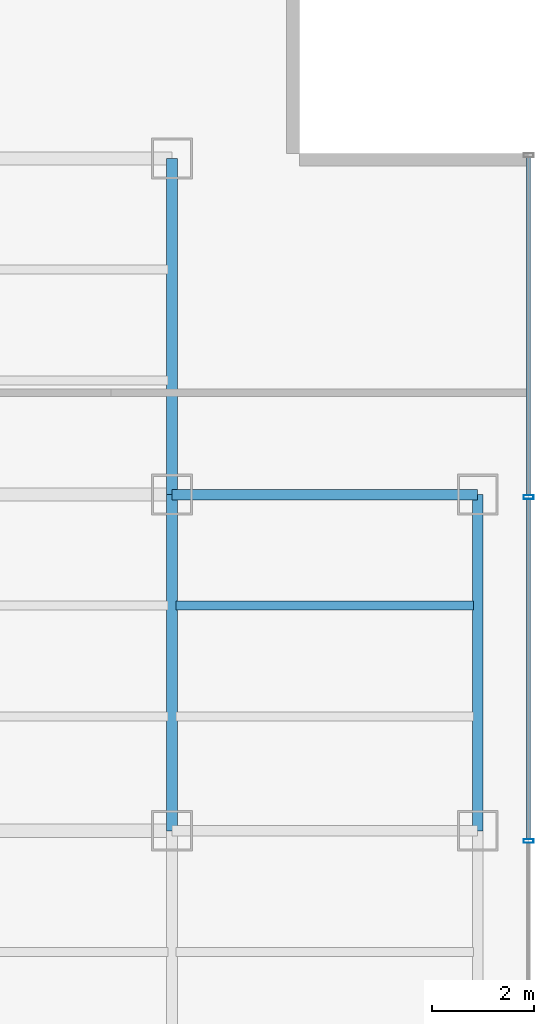
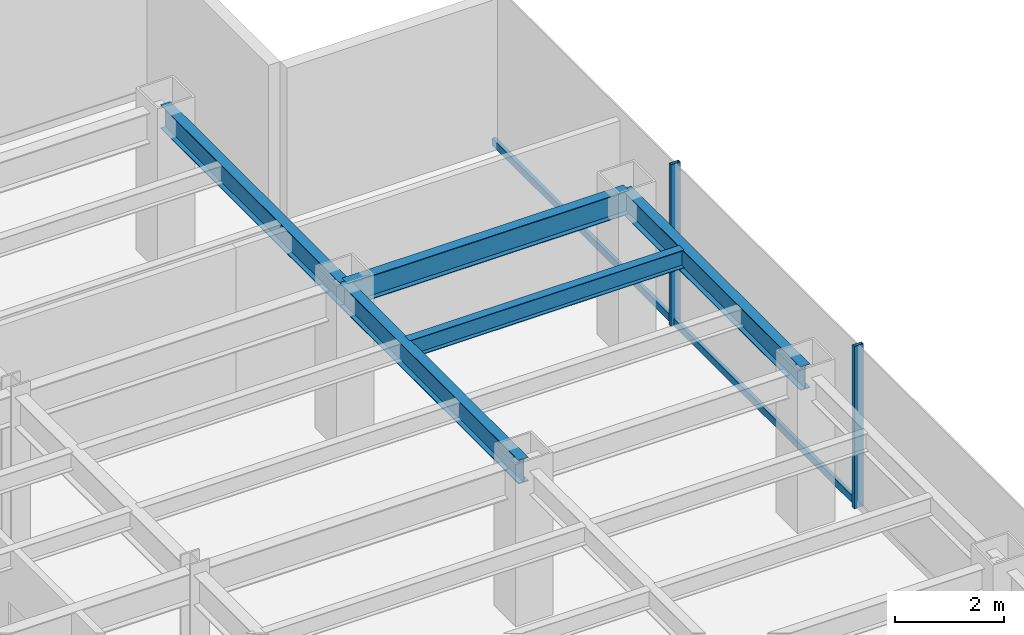
# One storey, part 12 of 26: 5 beams, 4 members, 1 element without a shape of its own.
"""IFC4 building model written with IfcOpenShell, lengths in metres."""

import ifcopenshell
import ifcopenshell.guid

model = None  # the IFC model being written
_history = None  # IfcOwnerHistory: only IFC2X3 demands one
_inside = {}  # id of a spatial element -> (the spatial element, [elements in it])
_under = {}  # id of a project, library or spatial element -> (it, [spatial elements below it])
_declared = {}  # id of a project -> (the project, [libraries it declares])
_typed = {}  # id of a type object -> (the type object, [elements of that type])
_made_of = {}  # id of a material, layer set ... -> (it, [elements and type objects made of it])


def new_model(schema):
    """Start an empty IFC model of exactly this schema.

    Asked for "IFC4X3", IfcOpenShell would pick the latest addendum, in which some entities
    have other attributes; the version numbers below select the first issue.
    IFC2X3 requires an IfcOwnerHistory on every rooted entity: one is made here for all.
    """
    global model, _history
    if schema == "IFC4X3":
        model = ifcopenshell.file(schema_version=(4, 3, 0, 0))
    else:
        model = ifcopenshell.file(schema=schema)
    _inside.clear()
    _under.clear()
    _declared.clear()
    _typed.clear()
    _made_of.clear()
    _history = None
    if model.schema == "IFC2X3":
        org = make("IfcOrganization", Name="unknown")
        user = make(
            "IfcPersonAndOrganization",
            ThePerson=make("IfcPerson", FamilyName="unknown"),
            TheOrganization=org,
        )
        app = make(
            "IfcApplication",
            ApplicationDeveloper=org,
            Version="unknown",
            ApplicationFullName="unknown",
            ApplicationIdentifier="unknown",
        )
        _history = make(
            "IfcOwnerHistory",
            OwningUser=user,
            OwningApplication=app,
            ChangeAction="ADDED",
            CreationDate=0,
        )
    return model


def make(cls, **values):
    """One entity of the class cls with the attributes given. An attribute that is None is left unset."""
    return model.create_entity(
        cls, **{name: value for name, value in values.items() if value is not None}
    )


def rooted(cls, **values):
    """An entity with a GlobalId (a new one), such as an element, a storey or a relation."""
    return make(cls, GlobalId=ifcopenshell.guid.new(), OwnerHistory=_history, **values)


def si_unit(unit_type, name, prefix=None):
    """IfcSIUnit, for example si_unit("LENGTHUNIT", "METRE", prefix="MILLI")."""
    return make("IfcSIUnit", UnitType=unit_type, Prefix=prefix, Name=name)


def derived_unit(unit_type, elements):
    """IfcDerivedUnit: a product of units, each with its exponent."""
    return make(
        "IfcDerivedUnit",
        Elements=[
            make("IfcDerivedUnitElement", Unit=unit, Exponent=power)
            for unit, power in elements
        ],
        UnitType=unit_type,
    )


def assignment(units):
    """IfcUnitAssignment: the units of a project."""
    return None if units is None else make("IfcUnitAssignment", Units=units)


def point(xyz):
    """IfcCartesianPoint."""
    return None if xyz is None else make("IfcCartesianPoint", Coordinates=xyz)


def direction(xyz):
    """IfcDirection."""
    return None if xyz is None else make("IfcDirection", DirectionRatios=xyz)


def frame(location, z_axis=None, x_axis=None):
    """IfcAxis2Placement3D, a coordinate frame: its origin and axes. An axis left out is left unset."""
    return make(
        "IfcAxis2Placement3D",
        Location=point(location),
        Axis=direction(z_axis),
        RefDirection=direction(x_axis),
    )


def frame_2d(location, x_axis=None):
    """IfcAxis2Placement2D, a coordinate frame in the plane: its origin and x axis."""
    return make(
        "IfcAxis2Placement2D", Location=point(location), RefDirection=direction(x_axis)
    )


def origin():
    """The frame at (0, 0, 0) with its axes left unset."""
    return frame((0.0, 0.0, 0.0))


def origin_2d():
    """The frame at (0, 0) in the plane with its x axis left unset."""
    return frame_2d((0.0, 0.0))


def place(relative_to, where):
    """IfcLocalPlacement: puts the frame where relative to a parent placement (None: the world)."""
    return make(
        "IfcLocalPlacement", PlacementRelTo=relative_to, RelativePlacement=where
    )


def context(
    kind, dimensions, precision=None, world=None, true_north=None, identifier=None
):
    """IfcGeometricRepresentationContext, for example the 3D "Model" context."""
    return make(
        "IfcGeometricRepresentationContext",
        ContextIdentifier=identifier,
        ContextType=kind,
        CoordinateSpaceDimension=dimensions,
        Precision=precision,
        WorldCoordinateSystem=world,
        TrueNorth=true_north,
    )


def subcontext(parent, identifier, kind, view, scale=None):
    """IfcGeometricRepresentationSubContext, for example "Body" below "Model"."""
    return make(
        "IfcGeometricRepresentationSubContext",
        ContextIdentifier=identifier,
        ContextType=kind,
        ParentContext=parent,
        TargetScale=scale,
        TargetView=view,
    )


def project(units=None, contexts=None):
    """IfcProject with its units and contexts."""
    return rooted(
        "IfcProject",
        Name="project",
        RepresentationContexts=contexts,
        UnitsInContext=assignment(units),
    )


def spatial(cls, under=None, at=None, **own):
    """A site, building, storey or space (cls), placed at a placement, below another one or the project."""
    s = rooted(cls, ObjectPlacement=at, **own)
    if under is not None:
        _under.setdefault(under.id(), (under, []))[1].append(s)
    return s


def profile(cls, at=None, kind="AREA", **sizes):
    """A parametric profile (cls). Its sizes go by their IFC names, for example OverallWidth=200.0."""
    return make(cls, ProfileType=kind, Position=at, **sizes)


def hollow_rectangle(**sizes):
    """IfcRectangleHollowProfileDef."""
    return profile("IfcRectangleHollowProfileDef", **sizes)


def i_section(**sizes):
    """IfcIShapeProfileDef."""
    return profile("IfcIShapeProfileDef", **sizes)


def extrude(swept, where, along, depth):
    """IfcExtrudedAreaSolid: the profile swept, set in the frame where, extruded along a direction by depth."""
    return make(
        "IfcExtrudedAreaSolid",
        SweptArea=swept,
        Position=where,
        ExtrudedDirection=direction(along),
        Depth=depth,
    )


def shape(context_of_items, identifier, shape_type, items):
    """IfcShapeRepresentation: the items that make up one representation, for example the "Body"."""
    return make(
        "IfcShapeRepresentation",
        ContextOfItems=context_of_items,
        RepresentationIdentifier=identifier,
        RepresentationType=shape_type,
        Items=items,
    )


def source(mapping_origin, context_of_items, identifier, shape_type, items):
    """IfcRepresentationMap: a shape defined once, which mapped items show again and again."""
    return make(
        "IfcRepresentationMap",
        MappingOrigin=mapping_origin,
        MappedRepresentation=shape(context_of_items, identifier, shape_type, items),
    )


def transform(
    local_origin,
    x_axis=None,
    y_axis=None,
    z_axis=None,
    scale=None,
    scale2=None,
    scale3=None,
    uniform=True,
):
    """IfcCartesianTransformationOperator3D, or its non-uniform kind. x_axis, y_axis, z_axis: its Axis1, 2, 3."""
    if uniform:
        return make(
            "IfcCartesianTransformationOperator3D",
            Axis1=direction(x_axis),
            Axis2=direction(y_axis),
            LocalOrigin=point(local_origin),
            Scale=scale,
            Axis3=direction(z_axis),
        )
    return make(
        "IfcCartesianTransformationOperator3DnonUniform",
        Axis1=direction(x_axis),
        Axis2=direction(y_axis),
        LocalOrigin=point(local_origin),
        Scale=scale,
        Axis3=direction(z_axis),
        Scale2=scale2,
        Scale3=scale3,
    )


def mapped(mapping_source, mapping_target):
    """IfcMappedItem: shows the shape of a source again, moved by a transform."""
    return make(
        "IfcMappedItem", MappingSource=mapping_source, MappingTarget=mapping_target
    )


def material(Name=None, Category=None):
    """IfcMaterial."""
    return make("IfcMaterial", Name=Name, Category=Category)


def material_profile(
    of_material, cross_section, Name=None, Category=None, Priority=None
):
    """IfcMaterialProfile: a cross section and its material."""
    return make(
        "IfcMaterialProfile",
        Name=Name,
        Material=of_material,
        Profile=cross_section,
        Priority=Priority,
        Category=Category,
    )


def profile_set(profiles, Name=None, composite=None):
    """IfcMaterialProfileSet."""
    return make(
        "IfcMaterialProfileSet",
        Name=Name,
        MaterialProfiles=profiles,
        CompositeProfile=composite,
    )


def made_of(thing, what):
    """Note that an element or type object is made of a material, layer set ...; save() writes the relation."""
    if what is not None:
        _made_of.setdefault(what.id(), (what, []))[1].append(thing)
    return thing


def type_object(cls, material=None, **own):
    """A type object (cls), such as IfcWallType, which elements share."""
    return made_of(rooted(cls, **own), material)


def element(
    cls,
    number,
    at=None,
    inside=None,
    cuts=None,
    type_object=None,
    material=None,
    context=None,
    identifier="Body",
    shape_type=None,
    held_by="IfcProductDefinitionShape",
    body=None,
    shapes=None,
    **own,
):
    """One element of the class cls, such as IfcWall. Its Tag is "e" and its number.

    at: its placement. inside: the storey or other place that contains it. cuts: it is an
    opening in that element (IfcRelVoidsElement). A single representation is given by context,
    identifier, shape_type and body (its items); several are given by shapes. held_by: the class
    of the entity that holds the representations. save() writes the other relations.
    """
    e = rooted(cls, Tag="e%d" % number, ObjectPlacement=at, **own)
    if body is not None:
        shapes = [shape(context, identifier, shape_type, body)]
    if shapes is not None:
        e.Representation = make(held_by, Representations=shapes)
    if inside is not None:
        _inside.setdefault(inside.id(), (inside, []))[1].append(e)
    if cuts is not None:
        rooted(
            "IfcRelVoidsElement", RelatingBuildingElement=cuts, RelatedOpeningElement=e
        )
    if type_object is not None:
        _typed.setdefault(type_object.id(), (type_object, []))[1].append(e)
    return made_of(e, material)


def aggregate(whole, parts):
    """IfcRelAggregates: a whole, such as a stair, and the parts it consists of."""
    return rooted("IfcRelAggregates", RelatingObject=whole, RelatedObjects=parts)


def save(model, path):
    """Write the relations noted so far, then the file.

    IfcRelAggregates (storeys below a building ...), IfcRelContainedInSpatialStructure (elements
    in a storey), IfcRelDefinesByType, IfcRelAssociatesMaterial and IfcRelDeclares: one each for
    every whole, place, type object, material and project.
    """
    for whole, parts in _under.values():
        aggregate(whole, parts)
    for where, things in _inside.values():
        rooted(
            "IfcRelContainedInSpatialStructure",
            RelatedElements=things,
            RelatingStructure=where,
        )
    for kind, things in _typed.values():
        rooted("IfcRelDefinesByType", RelatedObjects=things, RelatingType=kind)
    for what, things in _made_of.values():
        rooted("IfcRelAssociatesMaterial", RelatedObjects=things, RelatingMaterial=what)
    for by, libraries in _declared.values():
        rooted("IfcRelDeclares", RelatingContext=by, RelatedDefinitions=libraries)
    model.write(path)


model = new_model("IFC4")

# Units and contexts
model_context = context("Model", 3, precision=1e-05, world=origin(), true_north=direction((0.0, 1.0)))
body_context = subcontext(model_context, "Body", "Model", "MODEL_VIEW")
ifc_project = project(units=[si_unit("LENGTHUNIT", "METRE"), si_unit("AREAUNIT", "SQUARE_METRE"), si_unit("VOLUMEUNIT", "CUBIC_METRE"), si_unit("PLANEANGLEUNIT", "RADIAN"), si_unit("MASSUNIT", "GRAM", prefix="KILO"), derived_unit("THERMALTRANSMITTANCEUNIT", [(si_unit("POWERUNIT", "WATT"), 1), (si_unit("LENGTHUNIT", "METRE"), -2), (si_unit("THERMODYNAMICTEMPERATUREUNIT", "KELVIN"), -1)])], contexts=[model_context])

# Site, building, storey
site_placement = place(None, origin())
site = spatial("IfcSite", under=ifc_project, at=site_placement, CompositionType="ELEMENT")
building_placement = place(site_placement, origin())
building = spatial("IfcBuilding", under=site, at=building_placement, Name="Skarnbrae Concourse Arena and Tower", CompositionType="ELEMENT")
storey_placement = place(building_placement, frame((0.0, 0.0, 121.5)))
storey = spatial("IfcBuildingStorey", under=building, at=storey_placement, Name="L30", CompositionType="ELEMENT", Elevation=121.5)

# Beams
ifc_material_1 = material(Name="Steel CSA G40.21 350W", Category="steel")
ifc_material_profile_1 = material_profile(ifc_material_1, i_section(OverallWidth=0.208984375, OverallDepth=0.532958984375, WebThickness=0.01025390625, FlangeThickness=0.015625, at=origin_2d()), Name="W530X92")
ifc_profile_set_1 = profile_set([ifc_material_profile_1], Name="Steel CSA G40.21 350W")
beam_type_1 = type_object("IfcBeamType", Name="BM-SPAN-W530X92", PredefinedType="SPANDREL", material=ifc_profile_set_1)
shared_shape_1 = source(origin(), body_context, "Body", "SweptSolid", [
    extrude(i_section(OverallWidth=0.208984375, OverallDepth=0.532958984375, WebThickness=0.01025390625, FlangeThickness=0.015625, at=origin_2d()), origin(), (0.0, 0.0, 1.0), 6.0),
])
beam_1_placement = place(storey_placement, frame((49.0, 27.800048828125, 3.133544921875), z_axis=(1.0, 0.0, 0.0), x_axis=(0.0, 1.0, 0.0)))
element("IfcBeam", 1, at=beam_1_placement, inside=storey, type_object=beam_type_1, Name="L30 Perimeter spandrel Y27.8-8", PredefinedType="SPANDREL", context=body_context, shape_type="MappedRepresentation", body=[
    mapped(shared_shape_1, transform((0.0, 0.0, 0.0))),
])
shared_shape_2 = source(origin(), body_context, "Body", "SweptSolid", [
    extrude(i_section(OverallWidth=0.208984375, OverallDepth=0.532958984375, WebThickness=0.01025390625, FlangeThickness=0.015625, at=origin_2d()), origin(), (0.0, 0.0, 1.0), 6.60009765625),
])
for number, where, z_axis, x_axis, name in (
    (2, (49.0, 21.199951171875, 3.133544921875), (0.0, 1.0, 0.0), (-1.0, 0.0, 0.0), "L30 Perimeter spandrel X49.0-3"),
    (3, (55.0, 21.199951171875, 3.133544921875), (0.0, 1.0, 0.0), (-1.0, 0.0, 0.0), "L30 Perimeter spandrel X55.0-3"),
):
    element("IfcBeam", number, at=place(storey_placement, frame(where, z_axis=z_axis, x_axis=x_axis)), inside=storey, type_object=beam_type_1, Name=name, PredefinedType="SPANDREL", context=body_context, shape_type="MappedRepresentation", body=[
        mapped(shared_shape_2, transform((0.0, 0.0, 0.0))),
    ])
shared_shape_3 = source(origin(), body_context, "Body", "SweptSolid", [
    extrude(i_section(OverallWidth=0.208984375, OverallDepth=0.532958984375, WebThickness=0.01025390625, FlangeThickness=0.015625, at=origin_2d()), origin(), (0.0, 0.0, 1.0), 6.599853515625),
])
beam_2_placement = place(storey_placement, frame((49.0, 27.800048828125, 3.133544921875), z_axis=(0.0, 1.0, 0.0), x_axis=(-1.0, 0.0, 0.0)))
element("IfcBeam", 4, at=beam_2_placement, inside=storey, type_object=beam_type_1, Name="L30 Perimeter spandrel X49.0-4", PredefinedType="SPANDREL", context=body_context, shape_type="MappedRepresentation", body=[
    mapped(shared_shape_3, transform((0.0, 0.0, 0.0))),
])
ifc_material_profile_2 = material_profile(ifc_material_1, i_section(OverallWidth=0.177978515625, OverallDepth=0.406982421875, WebThickness=0.0078125, FlangeThickness=0.0126953125, at=origin_2d()), Name="W410X60")
ifc_profile_set_2 = profile_set([ifc_material_profile_2], Name="Steel CSA G40.21 350W")
beam_type_2 = type_object("IfcBeamType", Name="BM-JOIST-W410X60", PredefinedType="JOIST", material=ifc_profile_set_2)
shared_shape_4 = source(origin(), body_context, "Body", "SweptSolid", [
    extrude(i_section(OverallWidth=0.177978515625, OverallDepth=0.406982421875, WebThickness=0.0078125, FlangeThickness=0.0126953125, at=origin_2d()), origin(), (0.0, 0.0, 1.0), 5.83984375),
])
beam_3_placement = place(storey_placement, frame((49.080078125, 25.6220703125, 3.196533203125), z_axis=(1.0, 0.0, 0.0), x_axis=(0.0, 1.0, 0.0)))
element("IfcBeam", 5, at=beam_3_placement, inside=storey, type_object=beam_type_2, Name="L30 Secondary floor joist 2.2.8", PredefinedType="JOIST", context=body_context, shape_type="MappedRepresentation", body=[
    mapped(shared_shape_4, transform((0.0, 0.0, 0.0))),
])

# Curtain wall, members
ifc_material_2 = material(Name="Bronze anodised aluminium 6063-T6", Category="aluminium")
curtain_wall_type = type_object("IfcCurtainWallType", Name="CW-SYS-04-MIDZONE", PredefinedType="USERDEFINED", material=ifc_material_2)
curtain_wall_placement = place(storey_placement, origin())
curtain_wall = element("IfcCurtainWall", 6, at=curtain_wall_placement, inside=storey, type_object=curtain_wall_type, Name="L30 Unitised curtain wall CW-L30-E04", ObjectType="UNITISED CURTAIN WALL", PredefinedType="USERDEFINED")
ifc_material_profile_3 = material_profile(ifc_material_2, hollow_rectangle(XDim=0.074951171875, YDim=0.195068359375, WallThickness=0.00439453125, at=origin_2d()), Name="ALU-MULL-75X195")
ifc_profile_set_3 = profile_set([ifc_material_profile_3], Name="Bronze anodised aluminium 6063-T6")
member_type_1 = type_object("IfcMemberType", Name="CWM-CW-04", PredefinedType="MULLION", material=ifc_profile_set_3)
shared_shape_5 = source(origin(), body_context, "Body", "SweptSolid", [
    extrude(hollow_rectangle(XDim=0.074951171875, YDim=0.195068359375, WallThickness=0.00439453125, at=origin_2d()), origin(), (0.0, 0.0, 1.0), 3.64990234375),
])
member_1_placement = place(storey_placement, frame((56.0, 21.0, 0.0), z_axis=(0.0, 0.0, 1.0), x_axis=(0.0, 1.0, 0.0)))
member_1 = element("IfcMember", 7, at=member_1_placement, type_object=member_type_1, Name="CW-L30-E04 Mullion 3", PredefinedType="MULLION", context=body_context, shape_type="MappedRepresentation", body=[
    mapped(shared_shape_5, transform((0.0, 0.0, 0.0))),
])
member_2_placement = place(storey_placement, frame((56.0, 27.75, 0.0), z_axis=(0.0, 0.0, 1.0), x_axis=(0.0, 1.0, 0.0)))
member_2 = element("IfcMember", 8, at=member_2_placement, type_object=member_type_1, Name="CW-L30-E04 Mullion 4", PredefinedType="MULLION", context=body_context, shape_type="MappedRepresentation", body=[
    mapped(shared_shape_5, transform((0.0, 0.0, 0.0))),
])
ifc_material_profile_4 = material_profile(ifc_material_2, hollow_rectangle(XDim=0.074951171875, YDim=0.159912109375, WallThickness=0.00439453125, at=origin_2d()), Name="ALU-TRAN-75X160")
ifc_profile_set_4 = profile_set([ifc_material_profile_4], Name="Bronze anodised aluminium 6063-T6")
member_type_2 = type_object("IfcMemberType", Name="CWT-CW-04", PredefinedType="USERDEFINED", material=ifc_profile_set_4)
shared_shape_6 = source(origin(), body_context, "Body", "SweptSolid", [
    extrude(hollow_rectangle(XDim=0.074951171875, YDim=0.159912109375, WallThickness=0.00439453125, at=origin_2d()), origin(), (0.0, 0.0, 1.0), 6.637451171875),
])
member_3_placement = place(storey_placement, frame((56.0, 27.78759765625, 0.080078125), z_axis=(0.0, 1.0, 0.0), x_axis=(-1.0, 0.0, 0.0)))
member_3 = element("IfcMember", 9, at=member_3_placement, type_object=member_type_2, Name="CW-L30-E04 Transom 4", ObjectType="TRANSOM", PredefinedType="USERDEFINED", context=body_context, shape_type="MappedRepresentation", body=[
    mapped(shared_shape_6, transform((0.0, 0.0, 0.0))),
])
shared_shape_7 = source(origin(), body_context, "Body", "SweptSolid", [
    extrude(hollow_rectangle(XDim=0.074951171875, YDim=0.159912109375, WallThickness=0.00439453125, at=origin_2d()), origin(), (0.0, 0.0, 1.0), 6.6748046875),
])
member_4_placement = place(storey_placement, frame((56.0, 21.03759765625, 0.080078125), z_axis=(0.0, 1.0, 0.0), x_axis=(-1.0, 0.0, 0.0)))
member_4 = element("IfcMember", 10, at=member_4_placement, type_object=member_type_2, Name="CW-L30-E04 Transom 3", ObjectType="TRANSOM", PredefinedType="USERDEFINED", context=body_context, shape_type="MappedRepresentation", body=[
    mapped(shared_shape_7, transform((0.0, 0.0, 0.0))),
])
aggregate(curtain_wall, [member_1, member_2, member_4, member_3])

save(model, "model.ifc")
